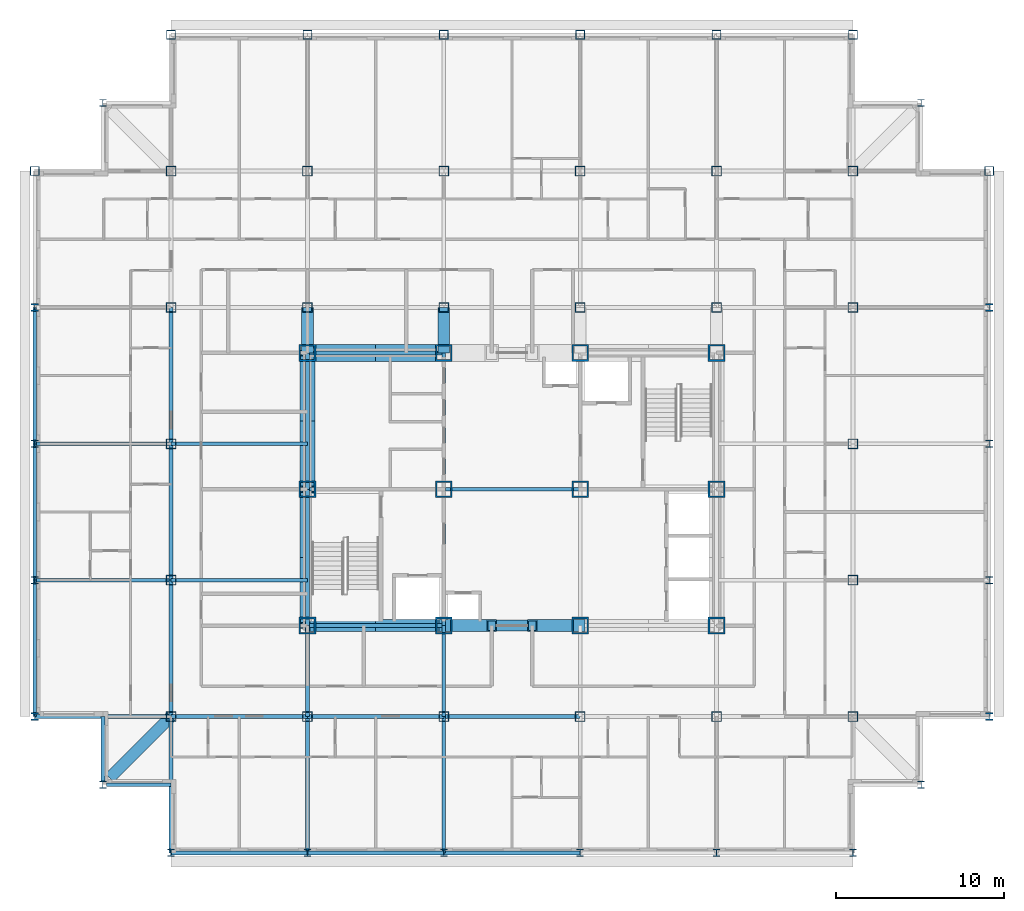
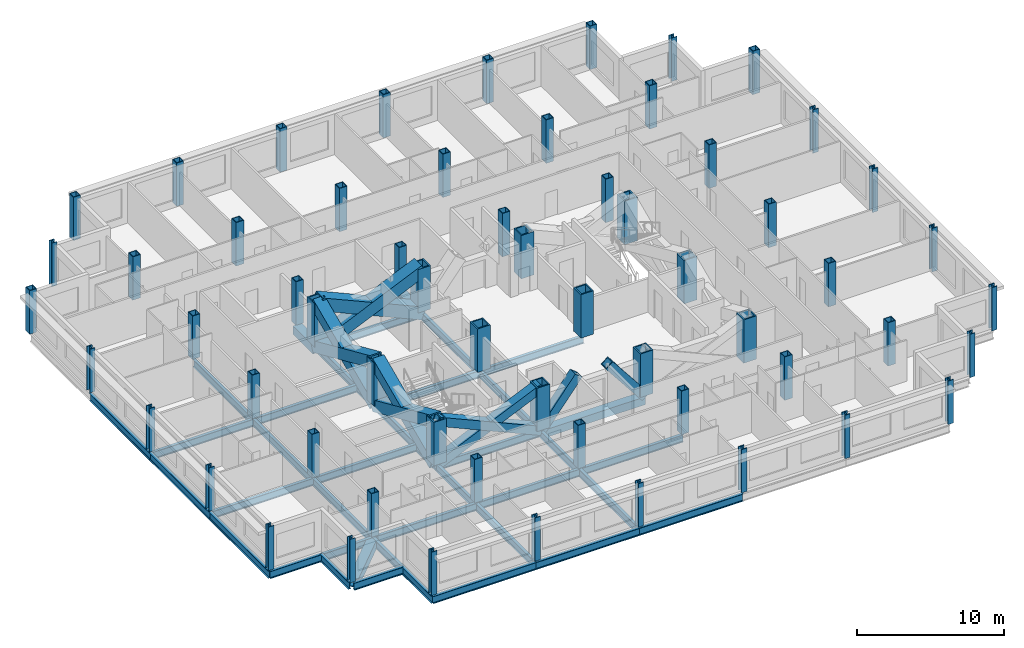
# One storey, part 1 of 12: 60 columns, 36 beams, 10 members.
"""IFC4 building model written with IfcOpenShell, lengths in metres."""

from ifc_helpers import new_model, si_unit, direction, frame, origin, origin_2d, place, context, subcontext, project, spatial, hollow_rectangle, i_section, extrude, material, material_profile, profile_set, type_object, element, save


model = new_model("IFC4")

# Units and contexts
model_context = context("Model", 3, precision=1e-05, world=origin(), true_north=direction((0.0, 1.0)))
body_context = subcontext(model_context, "Body", "Model", "MODEL_VIEW")
ifc_project = project(units=[si_unit("LENGTHUNIT", "METRE"), si_unit("AREAUNIT", "SQUARE_METRE"), si_unit("VOLUMEUNIT", "CUBIC_METRE"), si_unit("PLANEANGLEUNIT", "RADIAN"), si_unit("MASSUNIT", "GRAM", prefix="KILO")], contexts=[model_context])

# Site, building, storey
site_placement = place(None, origin())
site = spatial("IfcSite", under=ifc_project, at=site_placement, CompositionType="ELEMENT")
building_placement = place(site_placement, origin())
building = spatial("IfcBuilding", under=site, at=building_placement, Name="Kopane Lantern Tower", CompositionType="ELEMENT")
storey_placement = place(building_placement, frame((0.0, 0.0, 202.800048828125)))
storey = spatial("IfcBuildingStorey", under=building, at=storey_placement, Name="L52", CompositionType="ELEMENT", Elevation=202.800048828125)

# Columns
ifc_material_1 = material(Name="Steel S355JR", Category="steel")
ifc_material_profile_1 = material_profile(ifc_material_1, hollow_rectangle(XDim=1.0, YDim=1.0, WallThickness=0.10009765625, at=origin_2d()), Name="BOX 1000x1000x100")
ifc_profile_set_1 = profile_set([ifc_material_profile_1], Name="Steel S355JR")
column_type_1 = type_object("IfcColumnType", Name="COLUMN BOX 1000x1000x100", PredefinedType="COLUMN", material=ifc_profile_set_1)
for number, where, z_axis, x_axis, name in (
    (1, (16.199951171875, 24.300048828125, 0.0), (0.0, 0.0, 1.0), (1.0, 0.0, 0.0), "Column 4/E L52"),
    (2, (16.199951171875, 32.39990234375, 0.0), (0.0, 0.0, 1.0), (1.0, 0.0, 0.0), "Column 4/F L52"),
    (3, (16.199951171875, 40.5, 0.0), (0.0, 0.0, 1.0), (1.0, 0.0, 0.0), "Column 4/G L52"),
    (4, (24.300048828125, 24.300048828125, 0.0), (0.0, 0.0, 1.0), (1.0, 0.0, 0.0), "Column 5/E L52"),
    (5, (24.300048828125, 32.39990234375, 0.0), (0.0, 0.0, 1.0), (1.0, 0.0, 0.0), "Column 5/F L52"),
    (6, (24.300048828125, 40.5, 0.0), (0.0, 0.0, 1.0), (1.0, 0.0, 0.0), "Column 5/G L52"),
    (7, (32.39990234375, 24.300048828125, 0.0), (0.0, 0.0, 1.0), (1.0, 0.0, 0.0), "Column 6/E L52"),
    (8, (32.39990234375, 32.39990234375, 0.0), (0.0, 0.0, 1.0), (1.0, 0.0, 0.0), "Column 6/F L52"),
    (9, (32.39990234375, 40.5, 0.0), (0.0, 0.0, 1.0), (1.0, 0.0, 0.0), "Column 6/G L52"),
    (10, (40.5, 24.300048828125, 0.0), (0.0, 0.0, 1.0), (1.0, 0.0, 0.0), "Column 7/E L52"),
    (11, (40.5, 32.39990234375, 0.0), (0.0, 0.0, 1.0), (1.0, 0.0, 0.0), "Column 7/F L52"),
    (12, (40.5, 40.5, 0.0), (0.0, 0.0, 1.0), (1.0, 0.0, 0.0), "Column 7/G L52"),
):
    element("IfcColumn", number, at=place(storey_placement, frame(where, z_axis=z_axis, x_axis=x_axis)), inside=storey, type_object=column_type_1, Name=name, PredefinedType="COLUMN", context=body_context, shape_type="SweptSolid", body=[
        extrude(hollow_rectangle(XDim=1.0, YDim=1.0, WallThickness=0.10009765625, at=origin_2d()), origin(), (0.0, 0.0, 1.0), 3.599853515625),
    ])
ifc_material_2 = material(Name="Steel S355JR", Category="steel")
ifc_material_profile_2 = material_profile(ifc_material_2, hollow_rectangle(XDim=0.550048828125, YDim=0.550048828125, WallThickness=0.044921875, at=origin_2d()), Name="BOX 550x550x45")
ifc_profile_set_2 = profile_set([ifc_material_profile_2], Name="Steel S355JR")
column_type_2 = type_object("IfcColumnType", Name="COLUMN BOX 550x550x45", PredefinedType="COLUMN", material=ifc_profile_set_2)
for number, where, z_axis, x_axis, name in (
    (13, (0.0, 51.300048828125, 0.0), (0.0, 0.0, 1.0), (1.0, 0.0, 0.0), "Column 2/Q6 L52"),
    (14, (8.10009765625, 59.39990234375, 0.0), (0.0, 0.0, 1.0), (1.0, 0.0, 0.0), "Column 3/Q7 L52"),
    (15, (16.199951171875, 59.39990234375, 0.0), (0.0, 0.0, 1.0), (1.0, 0.0, 0.0), "Column 4/Q7 L52"),
    (16, (24.300048828125, 59.39990234375, 0.0), (0.0, 0.0, 1.0), (1.0, 0.0, 0.0), "Column 5/Q7 L52"),
    (17, (32.39990234375, 59.39990234375, 0.0), (0.0, 0.0, 1.0), (1.0, 0.0, 0.0), "Column 6/Q7 L52"),
    (18, (40.5, 59.39990234375, 0.0), (0.0, 0.0, 1.0), (1.0, 0.0, 0.0), "Column 7/Q7 L52"),
    (19, (48.60009765625, 59.39990234375, 0.0), (0.0, 0.0, 1.0), (1.0, 0.0, 0.0), "Column 8/Q7 L52"),
    (20, (56.699951171875, 51.300048828125, 0.0), (0.0, 0.0, 1.0), (1.0, 0.0, 0.0), "Column 9/Q6 L52"),
):
    element("IfcColumn", number, at=place(storey_placement, frame(where, z_axis=z_axis, x_axis=x_axis)), inside=storey, type_object=column_type_2, Name=name, PredefinedType="COLUMN", context=body_context, shape_type="SweptSolid", body=[
        extrude(hollow_rectangle(XDim=0.550048828125, YDim=0.550048828125, WallThickness=0.044921875, at=origin_2d()), origin(), (0.0, 0.0, 1.0), 3.599853515625),
    ])
ifc_material_3 = material(Name="Steel S355JR", Category="steel")
ifc_material_profile_3 = material_profile(ifc_material_3, hollow_rectangle(XDim=0.60009765625, YDim=0.60009765625, WallThickness=0.050048828125, at=origin_2d()), Name="BOX 600x600x50")
ifc_profile_set_3 = profile_set([ifc_material_profile_3], Name="Steel S355JR")
column_type_3 = type_object("IfcColumnType", Name="COLUMN BOX 600x600x50", PredefinedType="COLUMN", material=ifc_profile_set_3)
for number, where, z_axis, x_axis, name in (
    (21, (8.10009765625, 18.89990234375, 0.0), (0.0, 0.0, 1.0), (1.0, 0.0, 0.0), "Column 3/Q2 L52"),
    (22, (8.10009765625, 27.0, 0.0), (0.0, 0.0, 1.0), (1.0, 0.0, 0.0), "Column 3/Q3 L52"),
    (23, (8.10009765625, 35.10009765625, 0.0), (0.0, 0.0, 1.0), (1.0, 0.0, 0.0), "Column 3/Q4 L52"),
    (24, (8.10009765625, 43.199951171875, 0.0), (0.0, 0.0, 1.0), (1.0, 0.0, 0.0), "Column 3/Q5 L52"),
    (25, (8.10009765625, 51.300048828125, 0.0), (0.0, 0.0, 1.0), (1.0, 0.0, 0.0), "Column 3/Q6 L52"),
    (26, (16.199951171875, 18.89990234375, 0.0), (0.0, 0.0, 1.0), (1.0, 0.0, 0.0), "Column 4/Q2 L52"),
    (27, (16.199951171875, 43.199951171875, 0.0), (0.0, 0.0, 1.0), (1.0, 0.0, 0.0), "Column 4/Q5 L52"),
    (28, (16.199951171875, 51.300048828125, 0.0), (0.0, 0.0, 1.0), (1.0, 0.0, 0.0), "Column 4/Q6 L52"),
    (29, (24.300048828125, 18.89990234375, 0.0), (0.0, 0.0, 1.0), (1.0, 0.0, 0.0), "Column 5/Q2 L52"),
    (30, (24.300048828125, 43.199951171875, 0.0), (0.0, 0.0, 1.0), (1.0, 0.0, 0.0), "Column 5/Q5 L52"),
    (31, (24.300048828125, 51.300048828125, 0.0), (0.0, 0.0, 1.0), (1.0, 0.0, 0.0), "Column 5/Q6 L52"),
    (32, (32.39990234375, 18.89990234375, 0.0), (0.0, 0.0, 1.0), (1.0, 0.0, 0.0), "Column 6/Q2 L52"),
    (33, (32.39990234375, 43.199951171875, 0.0), (0.0, 0.0, 1.0), (1.0, 0.0, 0.0), "Column 6/Q5 L52"),
    (34, (32.39990234375, 51.300048828125, 0.0), (0.0, 0.0, 1.0), (1.0, 0.0, 0.0), "Column 6/Q6 L52"),
    (35, (40.5, 18.89990234375, 0.0), (0.0, 0.0, 1.0), (1.0, 0.0, 0.0), "Column 7/Q2 L52"),
    (36, (40.5, 43.199951171875, 0.0), (0.0, 0.0, 1.0), (1.0, 0.0, 0.0), "Column 7/Q5 L52"),
    (37, (40.5, 51.300048828125, 0.0), (0.0, 0.0, 1.0), (1.0, 0.0, 0.0), "Column 7/Q6 L52"),
    (38, (48.60009765625, 18.89990234375, 0.0), (0.0, 0.0, 1.0), (1.0, 0.0, 0.0), "Column 8/Q2 L52"),
    (39, (48.60009765625, 27.0, 0.0), (0.0, 0.0, 1.0), (1.0, 0.0, 0.0), "Column 8/Q3 L52"),
    (40, (48.60009765625, 35.10009765625, 0.0), (0.0, 0.0, 1.0), (1.0, 0.0, 0.0), "Column 8/Q4 L52"),
    (41, (48.60009765625, 43.199951171875, 0.0), (0.0, 0.0, 1.0), (1.0, 0.0, 0.0), "Column 8/Q5 L52"),
    (42, (48.60009765625, 51.300048828125, 0.0), (0.0, 0.0, 1.0), (1.0, 0.0, 0.0), "Column 8/Q6 L52"),
):
    element("IfcColumn", number, at=place(storey_placement, frame(where, z_axis=z_axis, x_axis=x_axis)), inside=storey, type_object=column_type_3, Name=name, PredefinedType="COLUMN", context=body_context, shape_type="SweptSolid", body=[
        extrude(hollow_rectangle(XDim=0.60009765625, YDim=0.60009765625, WallThickness=0.050048828125, at=origin_2d()), origin(), (0.0, 0.0, 1.0), 3.599853515625),
    ])
ifc_material_4 = material(Name="Steel S355JR", Category="steel")
ifc_material_profile_4 = material_profile(ifc_material_4, i_section(OverallWidth=0.406982421875, OverallDepth=0.4189453125, WebThickness=0.030517578125, FlangeThickness=0.04931640625, FilletRadius=0.01513671875, at=origin_2d()), Name="UC 356x406x393")
ifc_profile_set_4 = profile_set([ifc_material_profile_4], Name="Steel S355JR")
column_type_4 = type_object("IfcColumnType", Name="COLUMN UC 356x406x393", PredefinedType="COLUMN", material=ifc_profile_set_4)
for number, where, z_axis, x_axis, name in (
    (43, (4.050048828125, 14.85009765625, 0.0), (0.0, 0.0, 1.0), (1.0, 0.0, 0.0), "Column 4.05/14.85 L52"),
    (44, (4.050048828125, 55.35009765625, 0.0), (0.0, 0.0, 1.0), (1.0, 0.0, 0.0), "Column 4.05/55.35 L52"),
    (45, (52.64990234375, 14.85009765625, 0.0), (0.0, 0.0, 1.0), (1.0, 0.0, 0.0), "Column 52.65/14.85 L52"),
    (46, (52.64990234375, 55.35009765625, 0.0), (0.0, 0.0, 1.0), (1.0, 0.0, 0.0), "Column 52.65/55.35 L52"),
):
    element("IfcColumn", number, at=place(storey_placement, frame(where, z_axis=z_axis, x_axis=x_axis)), inside=storey, type_object=column_type_4, Name=name, PredefinedType="COLUMN", context=body_context, shape_type="SweptSolid", body=[
        extrude(i_section(OverallWidth=0.406982421875, OverallDepth=0.4189453125, WebThickness=0.030517578125, FlangeThickness=0.04931640625, FilletRadius=0.01513671875, at=origin_2d()), origin(), (0.0, 0.0, 1.0), 3.599853515625),
    ])
ifc_material_5 = material(Name="Steel S355JR", Category="steel")
ifc_material_profile_5 = material_profile(ifc_material_5, i_section(OverallWidth=0.41845703125, OverallDepth=0.45556640625, WebThickness=0.0419921875, FlangeThickness=0.0673828125, FilletRadius=0.01513671875, at=origin_2d()), Name="UC 356x406x551")
ifc_profile_set_5 = profile_set([ifc_material_profile_5], Name="Steel S355JR")
column_type_5 = type_object("IfcColumnType", Name="COLUMN UC 356x406x551", PredefinedType="COLUMN", material=ifc_profile_set_5)
for number, where, z_axis, x_axis, name in (
    (47, (0.0, 18.89990234375, 0.0), (0.0, 0.0, 1.0), (1.0, 0.0, 0.0), "Column 2/Q2 L52"),
    (48, (0.0, 27.0, 0.0), (0.0, 0.0, 1.0), (1.0, 0.0, 0.0), "Column 2/Q3 L52"),
    (49, (0.0, 35.10009765625, 0.0), (0.0, 0.0, 1.0), (1.0, 0.0, 0.0), "Column 2/Q4 L52"),
    (50, (0.0, 43.199951171875, 0.0), (0.0, 0.0, 1.0), (1.0, 0.0, 0.0), "Column 2/Q5 L52"),
    (51, (8.10009765625, 10.800048828125, 0.0), (0.0, 0.0, 1.0), (1.0, 0.0, 0.0), "Column 3/Q1 L52"),
    (52, (16.199951171875, 10.800048828125, 0.0), (0.0, 0.0, 1.0), (1.0, 0.0, 0.0), "Column 4/Q1 L52"),
    (53, (24.300048828125, 10.800048828125, 0.0), (0.0, 0.0, 1.0), (1.0, 0.0, 0.0), "Column 5/Q1 L52"),
    (54, (32.39990234375, 10.800048828125, 0.0), (0.0, 0.0, 1.0), (1.0, 0.0, 0.0), "Column 6/Q1 L52"),
    (55, (40.5, 10.800048828125, 0.0), (0.0, 0.0, 1.0), (1.0, 0.0, 0.0), "Column 7/Q1 L52"),
    (56, (48.60009765625, 10.800048828125, 0.0), (0.0, 0.0, 1.0), (1.0, 0.0, 0.0), "Column 8/Q1 L52"),
    (57, (56.699951171875, 18.89990234375, 0.0), (0.0, 0.0, 1.0), (1.0, 0.0, 0.0), "Column 9/Q2 L52"),
    (58, (56.699951171875, 27.0, 0.0), (0.0, 0.0, 1.0), (1.0, 0.0, 0.0), "Column 9/Q3 L52"),
    (59, (56.699951171875, 35.10009765625, 0.0), (0.0, 0.0, 1.0), (1.0, 0.0, 0.0), "Column 9/Q4 L52"),
    (60, (56.699951171875, 43.199951171875, 0.0), (0.0, 0.0, 1.0), (1.0, 0.0, 0.0), "Column 9/Q5 L52"),
):
    element("IfcColumn", number, at=place(storey_placement, frame(where, z_axis=z_axis, x_axis=x_axis)), inside=storey, type_object=column_type_5, Name=name, PredefinedType="COLUMN", context=body_context, shape_type="SweptSolid", body=[
        extrude(i_section(OverallWidth=0.41845703125, OverallDepth=0.45556640625, WebThickness=0.0419921875, FlangeThickness=0.0673828125, FilletRadius=0.01513671875, at=origin_2d()), origin(), (0.0, 0.0, 1.0), 3.599853515625),
    ])

# Members
ifc_material_6 = material(Name="Steel S355JR", Category="steel")
ifc_material_profile_6 = material_profile(ifc_material_6, hollow_rectangle(XDim=1.0, YDim=1.0, WallThickness=0.10009765625, at=origin_2d()), Name="BOX 1000x1000x100")
ifc_profile_set_6 = profile_set([ifc_material_profile_6], Name="Steel S355JR")
member_type_1 = type_object("IfcMemberType", Name="BRACE BOX 1000x1000x100", PredefinedType="BRACE", material=ifc_profile_set_6)
for number, where, z_axis, x_axis, name in (
    (61, (16.199951171875, 40.5, -0.2099609375), (0.913819498983, 0.0, 0.406120577265), (0.0, 1.0, 0.0), "Core brace L52"),
    (62, (24.300048828125, 40.5, -0.2099609375), (-0.913819498983, 0.0, 0.406120577265), (0.0, -1.0, 0.0), "Core brace L52"),
):
    element("IfcMember", number, at=place(storey_placement, frame(where, z_axis=z_axis, x_axis=x_axis)), inside=storey, type_object=member_type_1, Name=name, PredefinedType="BRACE", context=body_context, shape_type="SweptSolid", body=[
        extrude(hollow_rectangle(XDim=1.0, YDim=1.0, WallThickness=0.10009765625, at=origin_2d()), origin(), (0.0, 0.0, 1.0), 8.864013671875),
    ])
ifc_material_7 = material(Name="Steel S355JR", Category="steel")
ifc_material_profile_7 = material_profile(ifc_material_7, hollow_rectangle(XDim=0.699951171875, YDim=0.699951171875, WallThickness=0.06005859375, at=origin_2d()), Name="BOX 700x700x60")
ifc_profile_set_7 = profile_set([ifc_material_profile_7], Name="Steel S355JR")
member_type_2 = type_object("IfcMemberType", Name="BRACE BOX 700x700x60", PredefinedType="BRACE", material=ifc_profile_set_7)
for number, where, z_axis, x_axis, name in (
    (63, (16.199951171875, 24.300048828125, -0.2099609375), (0.913819498983, 0.0, 0.406120577265), (0.0, 1.0, 0.0), "Core brace L52"),
    (64, (24.300048828125, 24.300048828125, -0.2099609375), (-0.913819498983, 0.0, 0.406120577265), (0.0, -1.0, 0.0), "Core brace L52"),
):
    element("IfcMember", number, at=place(storey_placement, frame(where, z_axis=z_axis, x_axis=x_axis)), inside=storey, type_object=member_type_2, Name=name, PredefinedType="BRACE", context=body_context, shape_type="SweptSolid", body=[
        extrude(hollow_rectangle(XDim=0.699951171875, YDim=0.699951171875, WallThickness=0.06005859375, at=origin_2d()), origin(), (0.0, 0.0, 1.0), 8.864013671875),
    ])
for number, where, z_axis, x_axis, name in (
    (65, (24.300048828125, 24.300048828125, -0.2099609375), (0.620698858423, 0.0, 0.784049059149), (0.0, 1.0, 0.0), "Core brace L52"),
    (66, (32.39990234375, 24.300048828125, -0.2099609375), (-0.620698858423, 0.0, 0.784049059149), (0.0, -1.0, 0.0), "Core brace L52"),
):
    element("IfcMember", number, at=place(storey_placement, frame(where, z_axis=z_axis, x_axis=x_axis)), inside=storey, type_object=member_type_2, Name=name, PredefinedType="BRACE", context=body_context, shape_type="SweptSolid", body=[
        extrude(hollow_rectangle(XDim=0.699951171875, YDim=0.699951171875, WallThickness=0.06005859375, at=origin_2d()), origin(), (0.0, 0.0, 1.0), 4.59130859375),
    ])
ifc_material_8 = material(Name="Steel S355JR", Category="steel")
ifc_material_profile_8 = material_profile(ifc_material_8, hollow_rectangle(XDim=0.89990234375, YDim=0.89990234375, WallThickness=0.090087890625, at=origin_2d()), Name="BOX 900x900x90")
ifc_profile_set_8 = profile_set([ifc_material_profile_8], Name="Steel S355JR")
member_type_3 = type_object("IfcMemberType", Name="BRACE BOX 900x900x90", PredefinedType="BRACE", material=ifc_profile_set_8)
for number, where, z_axis, x_axis, name in (
    (67, (16.199951171875, 24.300048828125, -0.2099609375), (0.0, 0.913814956047, 0.406130799256), (-1.0, 0.0, 0.0), "Core brace L52"),
    (68, (16.199951171875, 32.39990234375, -0.2099609375), (0.0, -0.913814956047, 0.406130799256), (1.0, 0.0, 0.0), "Core brace L52"),
):
    element("IfcMember", number, at=place(storey_placement, frame(where, z_axis=z_axis, x_axis=x_axis)), inside=storey, type_object=member_type_3, Name=name, PredefinedType="BRACE", context=body_context, shape_type="SweptSolid", body=[
        extrude(hollow_rectangle(XDim=0.89990234375, YDim=0.89990234375, WallThickness=0.090087890625, at=origin_2d()), origin(), (0.0, 0.0, 1.0), 8.86376953125),
    ])
for number, where, z_axis, x_axis, name in (
    (69, (16.199951171875, 32.39990234375, -0.2099609375), (0.0, 0.913819498983, 0.406120577265), (-1.0, 0.0, 0.0), "Core brace L52"),
    (70, (16.199951171875, 40.5, -0.2099609375), (0.0, -0.913819498983, 0.406120577265), (1.0, 0.0, 0.0), "Core brace L52"),
):
    element("IfcMember", number, at=place(storey_placement, frame(where, z_axis=z_axis, x_axis=x_axis)), inside=storey, type_object=member_type_3, Name=name, PredefinedType="BRACE", context=body_context, shape_type="SweptSolid", body=[
        extrude(hollow_rectangle(XDim=0.89990234375, YDim=0.89990234375, WallThickness=0.090087890625, at=origin_2d()), origin(), (0.0, 0.0, 1.0), 8.864013671875),
    ])

# Beams
ifc_material_9 = material(Name="Steel S355JR", Category="steel")
ifc_material_profile_9 = material_profile(ifc_material_9, i_section(OverallWidth=0.22900390625, OverallDepth=0.6123046875, WebThickness=0.011962890625, FlangeThickness=0.01953125, FilletRadius=0.0126953125, at=origin_2d()), Name="UB 610x229x125")
ifc_profile_set_9 = profile_set([ifc_material_profile_9], Name="Steel S355JR")
beam_type_1 = type_object("IfcBeamType", Name="CORE BEAM UB 610x229x125", PredefinedType="BEAM", material=ifc_profile_set_9)
beam_1_placement = place(storey_placement, frame((16.199951171875, 32.39990234375, -0.51611328125), z_axis=(1.0, 0.0, 0.0), x_axis=(0.0, 1.0, 0.0)))
element("IfcBeam", 71, at=beam_1_placement, inside=storey, type_object=beam_type_1, Name="Core Beam L52", PredefinedType="BEAM", context=body_context, shape_type="SweptSolid", body=[
    extrude(i_section(OverallWidth=0.22900390625, OverallDepth=0.6123046875, WebThickness=0.011962890625, FlangeThickness=0.01953125, FilletRadius=0.0126953125, at=origin_2d()), origin(), (0.0, 0.0, 1.0), 8.10009765625),
])
beam_2_placement = place(storey_placement, frame((24.300048828125, 24.300048828125, -0.51611328125), z_axis=(0.0, 1.0, 0.0), x_axis=(-1.0, 0.0, 0.0)))
element("IfcBeam", 72, at=beam_2_placement, inside=storey, type_object=beam_type_1, Name="Core Beam L52", PredefinedType="BEAM", context=body_context, shape_type="SweptSolid", body=[
    extrude(i_section(OverallWidth=0.22900390625, OverallDepth=0.6123046875, WebThickness=0.011962890625, FlangeThickness=0.01953125, FilletRadius=0.0126953125, at=origin_2d()), origin(), (0.0, 0.0, 1.0), 8.099853515625),
])
beam_3_placement = place(storey_placement, frame((24.300048828125, 32.39990234375, -0.51611328125), z_axis=(0.0, 1.0, 0.0), x_axis=(-1.0, 0.0, 0.0)))
element("IfcBeam", 73, at=beam_3_placement, inside=storey, type_object=beam_type_1, Name="Core Beam L52", PredefinedType="BEAM", context=body_context, shape_type="SweptSolid", body=[
    extrude(i_section(OverallWidth=0.22900390625, OverallDepth=0.6123046875, WebThickness=0.011962890625, FlangeThickness=0.01953125, FilletRadius=0.0126953125, at=origin_2d()), origin(), (0.0, 0.0, 1.0), 8.10009765625),
])
beam_4_placement = place(storey_placement, frame((24.300048828125, 32.39990234375, -0.51611328125), z_axis=(1.0, 0.0, 0.0), x_axis=(0.0, 1.0, 0.0)))
element("IfcBeam", 74, at=beam_4_placement, inside=storey, type_object=beam_type_1, Name="Core Beam L52", PredefinedType="BEAM", context=body_context, shape_type="SweptSolid", body=[
    extrude(i_section(OverallWidth=0.22900390625, OverallDepth=0.6123046875, WebThickness=0.011962890625, FlangeThickness=0.01953125, FilletRadius=0.0126953125, at=origin_2d()), origin(), (0.0, 0.0, 1.0), 8.099853515625),
])
ifc_material_10 = material(Name="Steel S355JR", Category="steel")
ifc_material_profile_10 = material_profile(ifc_material_10, hollow_rectangle(XDim=0.699951171875, YDim=0.699951171875, WallThickness=0.06005859375, at=origin_2d()), Name="BOX 700x700x60")
ifc_profile_set_10 = profile_set([ifc_material_profile_10], Name="Steel S355JR")
beam_type_2 = type_object("IfcBeamType", Name="CORNER TIE BEAM BOX 700x700x60", PredefinedType="BEAM", material=ifc_profile_set_10)
beam_5_placement = place(storey_placement, frame((4.447509765625, 15.24755859375, -0.56005859375), z_axis=(0.70713041325, 0.707083148333, 0.0), x_axis=(-0.707083148333, 0.70713041325, 0.0)))
element("IfcBeam", 75, at=beam_5_placement, inside=storey, type_object=beam_type_2, Name="Corner Tie Beam L52", PredefinedType="BEAM", context=body_context, shape_type="SweptSolid", body=[
    extrude(hollow_rectangle(XDim=0.699951171875, YDim=0.699951171875, WallThickness=0.06005859375, at=origin_2d()), origin(), (0.0, 0.0, 1.0), 5.165283203125),
])
ifc_material_11 = material(Name="Steel S355JR", Category="steel")
ifc_material_profile_11 = material_profile(ifc_material_11, i_section(OverallWidth=0.22900390625, OverallDepth=0.6123046875, WebThickness=0.011962890625, FlangeThickness=0.01953125, FilletRadius=0.0126953125, at=origin_2d()), Name="UB 610x229x125")
ifc_profile_set_11 = profile_set([ifc_material_profile_11], Name="Steel S355JR")
beam_type_3 = type_object("IfcBeamType", Name="EDGE BEAM UB 610x229x125", PredefinedType="BEAM", material=ifc_profile_set_11)
beam_6_placement = place(storey_placement, frame((4.050048828125, 15.053466796875, -0.51611328125), z_axis=(0.0, 1.0, 0.0), x_axis=(-1.0, 0.0, 0.0)))
element("IfcBeam", 76, at=beam_6_placement, inside=storey, type_object=beam_type_3, Name="Edge Beam L52", PredefinedType="BEAM", context=body_context, shape_type="SweptSolid", body=[
    extrude(i_section(OverallWidth=0.22900390625, OverallDepth=0.6123046875, WebThickness=0.011962890625, FlangeThickness=0.01953125, FilletRadius=0.0126953125, at=origin_2d()), origin(), (0.0, 0.0, 1.0), 3.846435546875),
])
beam_7_placement = place(storey_placement, frame((4.25341796875, 14.85009765625, -0.51611328125), z_axis=(1.0, 0.0, 0.0), x_axis=(0.0, 1.0, 0.0)))
element("IfcBeam", 77, at=beam_7_placement, inside=storey, type_object=beam_type_3, Name="Edge Beam L52", PredefinedType="BEAM", context=body_context, shape_type="SweptSolid", body=[
    extrude(i_section(OverallWidth=0.22900390625, OverallDepth=0.6123046875, WebThickness=0.011962890625, FlangeThickness=0.01953125, FilletRadius=0.0126953125, at=origin_2d()), origin(), (0.0, 0.0, 1.0), 3.8466796875),
])
ifc_material_12 = material(Name="Steel S355JR", Category="steel")
ifc_material_profile_12 = material_profile(ifc_material_12, hollow_rectangle(XDim=0.699951171875, YDim=0.699951171875, WallThickness=0.06005859375, at=origin_2d()), Name="BOX 700x700x60")
ifc_profile_set_12 = profile_set([ifc_material_profile_12], Name="Steel S355JR")
beam_type_4 = type_object("IfcBeamType", Name="GIRDER BOX 700x700x60", PredefinedType="BEAM", material=ifc_profile_set_12)
for number, where, z_axis, x_axis, name in (
    (78, (16.199951171875, 40.5, -0.56005859375), (0.0, 1.0, 0.0), (-1.0, 0.0, 0.0), "Girder L52"),
    (79, (24.300048828125, 40.5, -0.56005859375), (0.0, 1.0, 0.0), (-1.0, 0.0, 0.0), "Girder L52"),
):
    element("IfcBeam", number, at=place(storey_placement, frame(where, z_axis=z_axis, x_axis=x_axis)), inside=storey, type_object=beam_type_4, Name=name, PredefinedType="BEAM", context=body_context, shape_type="SweptSolid", body=[
        extrude(hollow_rectangle(XDim=0.699951171875, YDim=0.699951171875, WallThickness=0.06005859375, at=origin_2d()), origin(), (0.0, 0.0, 1.0), 2.699951171875),
    ])
ifc_material_13 = material(Name="Steel S355JR", Category="steel")
ifc_material_profile_13 = material_profile(ifc_material_13, i_section(OverallWidth=0.22900390625, OverallDepth=0.6123046875, WebThickness=0.011962890625, FlangeThickness=0.01953125, FilletRadius=0.0126953125, at=origin_2d()), Name="UB 610x229x125")
ifc_profile_set_13 = profile_set([ifc_material_profile_13], Name="Steel S355JR")
beam_type_5 = type_object("IfcBeamType", Name="GIRDER UB 610x229x125", PredefinedType="BEAM", material=ifc_profile_set_13)
for number, where, z_axis, x_axis, name in (
    (80, (0.0, 18.89990234375, -0.51611328125), (0.0, 1.0, 0.0), (-1.0, 0.0, 0.0), "Girder L52"),
    (81, (0.0, 18.89990234375, -0.51611328125), (1.0, 0.0, 0.0), (0.0, 1.0, 0.0), "Girder L52"),
    (82, (0.0, 27.0, -0.51611328125), (0.0, 1.0, 0.0), (-1.0, 0.0, 0.0), "Girder L52"),
    (83, (0.0, 27.0, -0.51611328125), (1.0, 0.0, 0.0), (0.0, 1.0, 0.0), "Girder L52"),
):
    element("IfcBeam", number, at=place(storey_placement, frame(where, z_axis=z_axis, x_axis=x_axis)), inside=storey, type_object=beam_type_5, Name=name, PredefinedType="BEAM", context=body_context, shape_type="SweptSolid", body=[
        extrude(i_section(OverallWidth=0.22900390625, OverallDepth=0.6123046875, WebThickness=0.011962890625, FlangeThickness=0.01953125, FilletRadius=0.0126953125, at=origin_2d()), origin(), (0.0, 0.0, 1.0), 8.10009765625),
    ])
beam_8_placement = place(storey_placement, frame((0.0, 35.10009765625, -0.51611328125), z_axis=(0.0, 1.0, 0.0), x_axis=(-1.0, 0.0, 0.0)))
element("IfcBeam", 84, at=beam_8_placement, inside=storey, type_object=beam_type_5, Name="Girder L52", PredefinedType="BEAM", context=body_context, shape_type="SweptSolid", body=[
    extrude(i_section(OverallWidth=0.22900390625, OverallDepth=0.6123046875, WebThickness=0.011962890625, FlangeThickness=0.01953125, FilletRadius=0.0126953125, at=origin_2d()), origin(), (0.0, 0.0, 1.0), 8.099853515625),
])
beam_9_placement = place(storey_placement, frame((0.0, 35.10009765625, -0.51611328125), z_axis=(1.0, 0.0, 0.0), x_axis=(0.0, 1.0, 0.0)))
element("IfcBeam", 85, at=beam_9_placement, inside=storey, type_object=beam_type_5, Name="Girder L52", PredefinedType="BEAM", context=body_context, shape_type="SweptSolid", body=[
    extrude(i_section(OverallWidth=0.22900390625, OverallDepth=0.6123046875, WebThickness=0.011962890625, FlangeThickness=0.01953125, FilletRadius=0.0126953125, at=origin_2d()), origin(), (0.0, 0.0, 1.0), 8.10009765625),
])
for number, where, z_axis, x_axis, name in (
    (86, (8.10009765625, 10.800048828125, -0.51611328125), (0.0, 1.0, 0.0), (-1.0, 0.0, 0.0), "Girder L52"),
    (87, (8.10009765625, 10.800048828125, -0.51611328125), (1.0, 0.0, 0.0), (0.0, 1.0, 0.0), "Girder L52"),
):
    element("IfcBeam", number, at=place(storey_placement, frame(where, z_axis=z_axis, x_axis=x_axis)), inside=storey, type_object=beam_type_5, Name=name, PredefinedType="BEAM", context=body_context, shape_type="SweptSolid", body=[
        extrude(i_section(OverallWidth=0.22900390625, OverallDepth=0.6123046875, WebThickness=0.011962890625, FlangeThickness=0.01953125, FilletRadius=0.0126953125, at=origin_2d()), origin(), (0.0, 0.0, 1.0), 8.099853515625),
    ])
beam_10_placement = place(storey_placement, frame((8.10009765625, 18.89990234375, -0.51611328125), z_axis=(0.0, 1.0, 0.0), x_axis=(-1.0, 0.0, 0.0)))
element("IfcBeam", 88, at=beam_10_placement, inside=storey, type_object=beam_type_5, Name="Girder L52", PredefinedType="BEAM", context=body_context, shape_type="SweptSolid", body=[
    extrude(i_section(OverallWidth=0.22900390625, OverallDepth=0.6123046875, WebThickness=0.011962890625, FlangeThickness=0.01953125, FilletRadius=0.0126953125, at=origin_2d()), origin(), (0.0, 0.0, 1.0), 8.10009765625),
])
beam_11_placement = place(storey_placement, frame((8.10009765625, 18.89990234375, -0.51611328125), z_axis=(1.0, 0.0, 0.0), x_axis=(0.0, 1.0, 0.0)))
element("IfcBeam", 89, at=beam_11_placement, inside=storey, type_object=beam_type_5, Name="Girder L52", PredefinedType="BEAM", context=body_context, shape_type="SweptSolid", body=[
    extrude(i_section(OverallWidth=0.22900390625, OverallDepth=0.6123046875, WebThickness=0.011962890625, FlangeThickness=0.01953125, FilletRadius=0.0126953125, at=origin_2d()), origin(), (0.0, 0.0, 1.0), 8.099853515625),
])
beam_12_placement = place(storey_placement, frame((8.10009765625, 27.0, -0.51611328125), z_axis=(0.0, 1.0, 0.0), x_axis=(-1.0, 0.0, 0.0)))
element("IfcBeam", 90, at=beam_12_placement, inside=storey, type_object=beam_type_5, Name="Girder L52", PredefinedType="BEAM", context=body_context, shape_type="SweptSolid", body=[
    extrude(i_section(OverallWidth=0.22900390625, OverallDepth=0.6123046875, WebThickness=0.011962890625, FlangeThickness=0.01953125, FilletRadius=0.0126953125, at=origin_2d()), origin(), (0.0, 0.0, 1.0), 8.10009765625),
])
for number, where, z_axis, x_axis, name in (
    (91, (8.10009765625, 27.0, -0.51611328125), (1.0, 0.0, 0.0), (0.0, 1.0, 0.0), "Girder L52"),
    (92, (8.10009765625, 35.10009765625, -0.51611328125), (0.0, 1.0, 0.0), (-1.0, 0.0, 0.0), "Girder L52"),
    (93, (8.10009765625, 35.10009765625, -0.51611328125), (1.0, 0.0, 0.0), (0.0, 1.0, 0.0), "Girder L52"),
    (94, (16.199951171875, 10.800048828125, -0.51611328125), (0.0, 1.0, 0.0), (-1.0, 0.0, 0.0), "Girder L52"),
):
    element("IfcBeam", number, at=place(storey_placement, frame(where, z_axis=z_axis, x_axis=x_axis)), inside=storey, type_object=beam_type_5, Name=name, PredefinedType="BEAM", context=body_context, shape_type="SweptSolid", body=[
        extrude(i_section(OverallWidth=0.22900390625, OverallDepth=0.6123046875, WebThickness=0.011962890625, FlangeThickness=0.01953125, FilletRadius=0.0126953125, at=origin_2d()), origin(), (0.0, 0.0, 1.0), 8.099853515625),
    ])
beam_13_placement = place(storey_placement, frame((16.199951171875, 10.800048828125, -0.51611328125), z_axis=(1.0, 0.0, 0.0), x_axis=(0.0, 1.0, 0.0)))
element("IfcBeam", 95, at=beam_13_placement, inside=storey, type_object=beam_type_5, Name="Girder L52", PredefinedType="BEAM", context=body_context, shape_type="SweptSolid", body=[
    extrude(i_section(OverallWidth=0.22900390625, OverallDepth=0.6123046875, WebThickness=0.011962890625, FlangeThickness=0.01953125, FilletRadius=0.0126953125, at=origin_2d()), origin(), (0.0, 0.0, 1.0), 8.10009765625),
])
beam_14_placement = place(storey_placement, frame((16.199951171875, 18.89990234375, -0.51611328125), z_axis=(0.0, 1.0, 0.0), x_axis=(-1.0, 0.0, 0.0)))
element("IfcBeam", 96, at=beam_14_placement, inside=storey, type_object=beam_type_5, Name="Girder L52", PredefinedType="BEAM", context=body_context, shape_type="SweptSolid", body=[
    extrude(i_section(OverallWidth=0.22900390625, OverallDepth=0.6123046875, WebThickness=0.011962890625, FlangeThickness=0.01953125, FilletRadius=0.0126953125, at=origin_2d()), origin(), (0.0, 0.0, 1.0), 5.400146484375),
])
beam_15_placement = place(storey_placement, frame((16.199951171875, 18.89990234375, -0.51611328125), z_axis=(1.0, 0.0, 0.0), x_axis=(0.0, 1.0, 0.0)))
element("IfcBeam", 97, at=beam_15_placement, inside=storey, type_object=beam_type_5, Name="Girder L52", PredefinedType="BEAM", context=body_context, shape_type="SweptSolid", body=[
    extrude(i_section(OverallWidth=0.22900390625, OverallDepth=0.6123046875, WebThickness=0.011962890625, FlangeThickness=0.01953125, FilletRadius=0.0126953125, at=origin_2d()), origin(), (0.0, 0.0, 1.0), 8.10009765625),
])
beam_16_placement = place(storey_placement, frame((16.199951171875, 24.300048828125, -0.51611328125), z_axis=(0.0, 1.0, 0.0), x_axis=(-1.0, 0.0, 0.0)))
element("IfcBeam", 98, at=beam_16_placement, inside=storey, type_object=beam_type_5, Name="Girder L52", PredefinedType="BEAM", context=body_context, shape_type="SweptSolid", body=[
    extrude(i_section(OverallWidth=0.22900390625, OverallDepth=0.6123046875, WebThickness=0.011962890625, FlangeThickness=0.01953125, FilletRadius=0.0126953125, at=origin_2d()), origin(), (0.0, 0.0, 1.0), 8.099853515625),
])
for number, where, z_axis, x_axis, name in (
    (99, (16.199951171875, 24.300048828125, -0.51611328125), (1.0, 0.0, 0.0), (0.0, 1.0, 0.0), "Girder L52"),
    (100, (16.199951171875, 32.39990234375, -0.51611328125), (0.0, 1.0, 0.0), (-1.0, 0.0, 0.0), "Girder L52"),
    (101, (16.199951171875, 40.5, -0.51611328125), (1.0, 0.0, 0.0), (0.0, 1.0, 0.0), "Girder L52"),
):
    element("IfcBeam", number, at=place(storey_placement, frame(where, z_axis=z_axis, x_axis=x_axis)), inside=storey, type_object=beam_type_5, Name=name, PredefinedType="BEAM", context=body_context, shape_type="SweptSolid", body=[
        extrude(i_section(OverallWidth=0.22900390625, OverallDepth=0.6123046875, WebThickness=0.011962890625, FlangeThickness=0.01953125, FilletRadius=0.0126953125, at=origin_2d()), origin(), (0.0, 0.0, 1.0), 8.10009765625),
    ])
for number, where, z_axis, x_axis, name in (
    (102, (24.300048828125, 10.800048828125, -0.51611328125), (0.0, 1.0, 0.0), (-1.0, 0.0, 0.0), "Girder L52"),
    (103, (24.300048828125, 10.800048828125, -0.51611328125), (1.0, 0.0, 0.0), (0.0, 1.0, 0.0), "Girder L52"),
):
    element("IfcBeam", number, at=place(storey_placement, frame(where, z_axis=z_axis, x_axis=x_axis)), inside=storey, type_object=beam_type_5, Name=name, PredefinedType="BEAM", context=body_context, shape_type="SweptSolid", body=[
        extrude(i_section(OverallWidth=0.22900390625, OverallDepth=0.6123046875, WebThickness=0.011962890625, FlangeThickness=0.01953125, FilletRadius=0.0126953125, at=origin_2d()), origin(), (0.0, 0.0, 1.0), 8.099853515625),
    ])
beam_17_placement = place(storey_placement, frame((24.300048828125, 18.89990234375, -0.51611328125), z_axis=(0.0, 1.0, 0.0), x_axis=(-1.0, 0.0, 0.0)))
element("IfcBeam", 104, at=beam_17_placement, inside=storey, type_object=beam_type_5, Name="Girder L52", PredefinedType="BEAM", context=body_context, shape_type="SweptSolid", body=[
    extrude(i_section(OverallWidth=0.22900390625, OverallDepth=0.6123046875, WebThickness=0.011962890625, FlangeThickness=0.01953125, FilletRadius=0.0126953125, at=origin_2d()), origin(), (0.0, 0.0, 1.0), 5.400146484375),
])
beam_18_placement = place(storey_placement, frame((24.300048828125, 18.89990234375, -0.51611328125), z_axis=(1.0, 0.0, 0.0), x_axis=(0.0, 1.0, 0.0)))
element("IfcBeam", 105, at=beam_18_placement, inside=storey, type_object=beam_type_5, Name="Girder L52", PredefinedType="BEAM", context=body_context, shape_type="SweptSolid", body=[
    extrude(i_section(OverallWidth=0.22900390625, OverallDepth=0.6123046875, WebThickness=0.011962890625, FlangeThickness=0.01953125, FilletRadius=0.0126953125, at=origin_2d()), origin(), (0.0, 0.0, 1.0), 8.099853515625),
])
ifc_material_14 = material(Name="Steel S355JR", Category="steel")
ifc_material_profile_14 = material_profile(ifc_material_14, hollow_rectangle(XDim=0.64990234375, YDim=0.64990234375, WallThickness=0.070068359375, at=origin_2d()), Name="BOX 650x650x70")
ifc_profile_set_14 = profile_set([ifc_material_profile_14], Name="Steel S355JR")
beam_type_6 = type_object("IfcBeamType", Name="LINK BEAM BOX 650x650x70", PredefinedType="BEAM", material=ifc_profile_set_14)
beam_19_placement = place(storey_placement, frame((24.300048828125, 24.300048828125, -0.53515625), z_axis=(1.0, 0.0, 0.0), x_axis=(0.0, 1.0, 0.0)))
element("IfcBeam", 106, at=beam_19_placement, inside=storey, type_object=beam_type_6, Name="Link Beam L52", PredefinedType="BEAM", context=body_context, shape_type="SweptSolid", body=[
    extrude(hollow_rectangle(XDim=0.64990234375, YDim=0.64990234375, WallThickness=0.070068359375, at=origin_2d()), origin(), (0.0, 0.0, 1.0), 8.099853515625),
])

save(model, "model.ifc")
